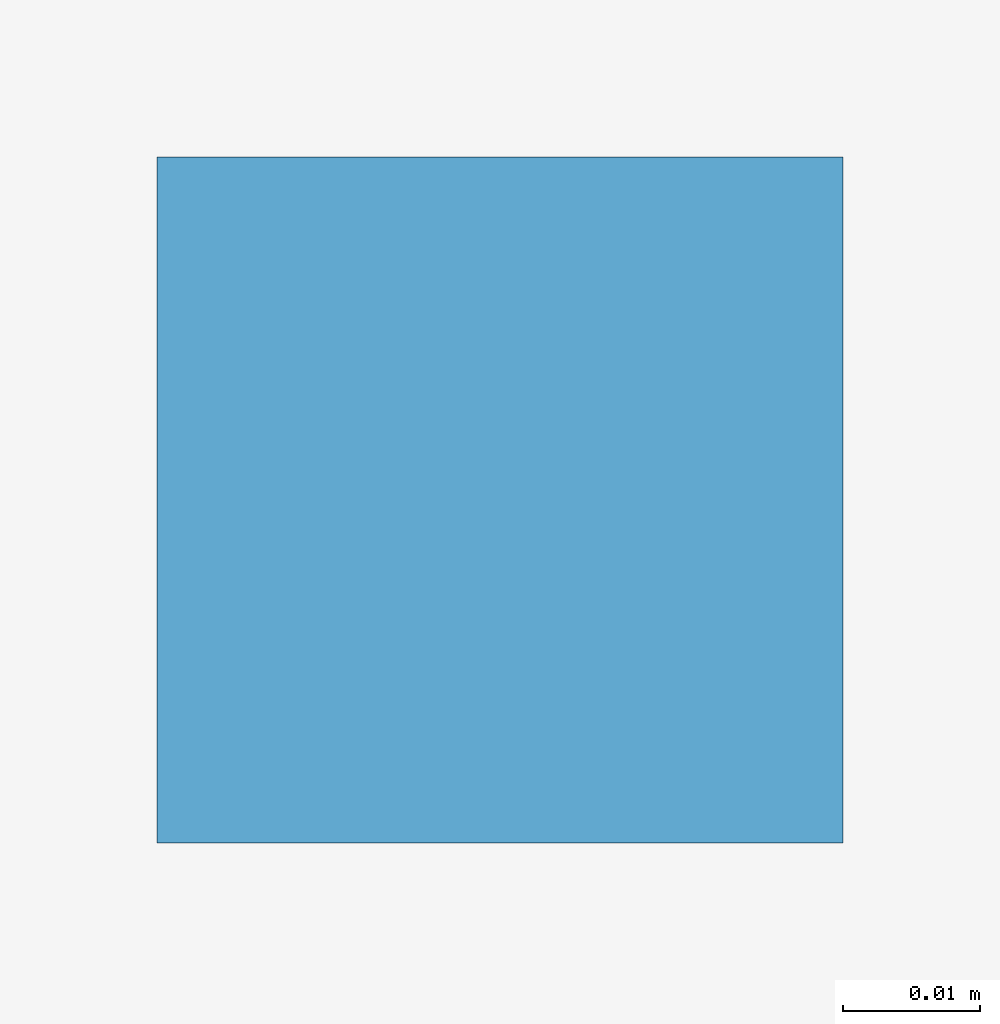
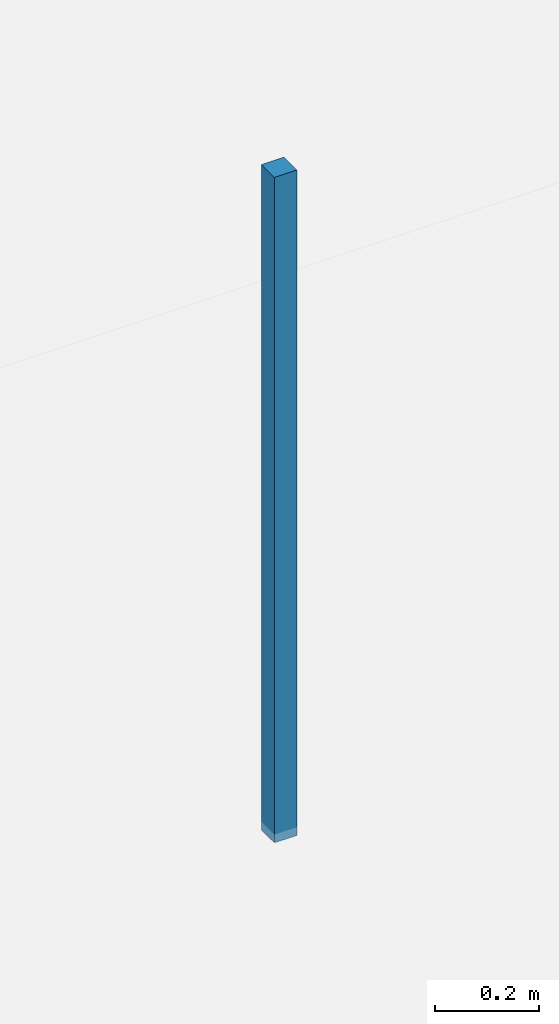
# One storey, part 42 of 55: 1 discrete accessory.
"""IFC4 building model written with IfcOpenShell, lengths in metres."""

import ifcopenshell
import ifcopenshell.guid

model = None  # the IFC model being written
_history = None  # IfcOwnerHistory: only IFC2X3 demands one
_inside = {}  # id of a spatial element -> (the spatial element, [elements in it])
_under = {}  # id of a project, library or spatial element -> (it, [spatial elements below it])
_declared = {}  # id of a project -> (the project, [libraries it declares])
_typed = {}  # id of a type object -> (the type object, [elements of that type])
_made_of = {}  # id of a material, layer set ... -> (it, [elements and type objects made of it])


def new_model(schema):
    """Start an empty IFC model of exactly this schema.

    Asked for "IFC4X3", IfcOpenShell would pick the latest addendum, in which some entities
    have other attributes; the version numbers below select the first issue.
    IFC2X3 requires an IfcOwnerHistory on every rooted entity: one is made here for all.
    """
    global model, _history
    if schema == "IFC4X3":
        model = ifcopenshell.file(schema_version=(4, 3, 0, 0))
    else:
        model = ifcopenshell.file(schema=schema)
    _inside.clear()
    _under.clear()
    _declared.clear()
    _typed.clear()
    _made_of.clear()
    _history = None
    if model.schema == "IFC2X3":
        org = make("IfcOrganization", Name="unknown")
        user = make(
            "IfcPersonAndOrganization",
            ThePerson=make("IfcPerson", FamilyName="unknown"),
            TheOrganization=org,
        )
        app = make(
            "IfcApplication",
            ApplicationDeveloper=org,
            Version="unknown",
            ApplicationFullName="unknown",
            ApplicationIdentifier="unknown",
        )
        _history = make(
            "IfcOwnerHistory",
            OwningUser=user,
            OwningApplication=app,
            ChangeAction="ADDED",
            CreationDate=0,
        )
    return model


def make(cls, **values):
    """One entity of the class cls with the attributes given. An attribute that is None is left unset."""
    return model.create_entity(
        cls, **{name: value for name, value in values.items() if value is not None}
    )


def rooted(cls, **values):
    """An entity with a GlobalId (a new one), such as an element, a storey or a relation."""
    return make(cls, GlobalId=ifcopenshell.guid.new(), OwnerHistory=_history, **values)


def si_unit(unit_type, name, prefix=None):
    """IfcSIUnit, for example si_unit("LENGTHUNIT", "METRE", prefix="MILLI")."""
    return make("IfcSIUnit", UnitType=unit_type, Prefix=prefix, Name=name)


def assignment(units):
    """IfcUnitAssignment: the units of a project."""
    return None if units is None else make("IfcUnitAssignment", Units=units)


def point(xyz):
    """IfcCartesianPoint."""
    return None if xyz is None else make("IfcCartesianPoint", Coordinates=xyz)


def direction(xyz):
    """IfcDirection."""
    return None if xyz is None else make("IfcDirection", DirectionRatios=xyz)


def frame(location, z_axis=None, x_axis=None):
    """IfcAxis2Placement3D, a coordinate frame: its origin and axes. An axis left out is left unset."""
    return make(
        "IfcAxis2Placement3D",
        Location=point(location),
        Axis=direction(z_axis),
        RefDirection=direction(x_axis),
    )


def frame_2d(location, x_axis=None):
    """IfcAxis2Placement2D, a coordinate frame in the plane: its origin and x axis."""
    return make(
        "IfcAxis2Placement2D", Location=point(location), RefDirection=direction(x_axis)
    )


def origin():
    """The frame at (0, 0, 0) with its axes left unset."""
    return frame((0.0, 0.0, 0.0))


def origin_2d():
    """The frame at (0, 0) in the plane with its x axis left unset."""
    return frame_2d((0.0, 0.0))


def place(relative_to, where):
    """IfcLocalPlacement: puts the frame where relative to a parent placement (None: the world)."""
    return make(
        "IfcLocalPlacement", PlacementRelTo=relative_to, RelativePlacement=where
    )


def context(
    kind, dimensions, precision=None, world=None, true_north=None, identifier=None
):
    """IfcGeometricRepresentationContext, for example the 3D "Model" context."""
    return make(
        "IfcGeometricRepresentationContext",
        ContextIdentifier=identifier,
        ContextType=kind,
        CoordinateSpaceDimension=dimensions,
        Precision=precision,
        WorldCoordinateSystem=world,
        TrueNorth=true_north,
    )


def subcontext(parent, identifier, kind, view, scale=None):
    """IfcGeometricRepresentationSubContext, for example "Body" below "Model"."""
    return make(
        "IfcGeometricRepresentationSubContext",
        ContextIdentifier=identifier,
        ContextType=kind,
        ParentContext=parent,
        TargetScale=scale,
        TargetView=view,
    )


def project(units=None, contexts=None):
    """IfcProject with its units and contexts."""
    return rooted(
        "IfcProject",
        Name="project",
        RepresentationContexts=contexts,
        UnitsInContext=assignment(units),
    )


def spatial(cls, under=None, at=None, **own):
    """A site, building, storey or space (cls), placed at a placement, below another one or the project."""
    s = rooted(cls, ObjectPlacement=at, **own)
    if under is not None:
        _under.setdefault(under.id(), (under, []))[1].append(s)
    return s


def profile(cls, at=None, kind="AREA", **sizes):
    """A parametric profile (cls). Its sizes go by their IFC names, for example OverallWidth=200.0."""
    return make(cls, ProfileType=kind, Position=at, **sizes)


def rectangle(**sizes):
    """IfcRectangleProfileDef."""
    return profile("IfcRectangleProfileDef", **sizes)


def extrude(swept, where, along, depth):
    """IfcExtrudedAreaSolid: the profile swept, set in the frame where, extruded along a direction by depth."""
    return make(
        "IfcExtrudedAreaSolid",
        SweptArea=swept,
        Position=where,
        ExtrudedDirection=direction(along),
        Depth=depth,
    )


def shape(context_of_items, identifier, shape_type, items):
    """IfcShapeRepresentation: the items that make up one representation, for example the "Body"."""
    return make(
        "IfcShapeRepresentation",
        ContextOfItems=context_of_items,
        RepresentationIdentifier=identifier,
        RepresentationType=shape_type,
        Items=items,
    )


def material(Name=None, Category=None):
    """IfcMaterial."""
    return make("IfcMaterial", Name=Name, Category=Category)


def made_of(thing, what):
    """Note that an element or type object is made of a material, layer set ...; save() writes the relation."""
    if what is not None:
        _made_of.setdefault(what.id(), (what, []))[1].append(thing)
    return thing


def type_object(cls, material=None, **own):
    """A type object (cls), such as IfcWallType, which elements share."""
    return made_of(rooted(cls, **own), material)


def element(
    cls,
    number,
    at=None,
    inside=None,
    cuts=None,
    type_object=None,
    material=None,
    context=None,
    identifier="Body",
    shape_type=None,
    held_by="IfcProductDefinitionShape",
    body=None,
    shapes=None,
    **own,
):
    """One element of the class cls, such as IfcWall. Its Tag is "e" and its number.

    at: its placement. inside: the storey or other place that contains it. cuts: it is an
    opening in that element (IfcRelVoidsElement). A single representation is given by context,
    identifier, shape_type and body (its items); several are given by shapes. held_by: the class
    of the entity that holds the representations. save() writes the other relations.
    """
    e = rooted(cls, Tag="e%d" % number, ObjectPlacement=at, **own)
    if body is not None:
        shapes = [shape(context, identifier, shape_type, body)]
    if shapes is not None:
        e.Representation = make(held_by, Representations=shapes)
    if inside is not None:
        _inside.setdefault(inside.id(), (inside, []))[1].append(e)
    if cuts is not None:
        rooted(
            "IfcRelVoidsElement", RelatingBuildingElement=cuts, RelatedOpeningElement=e
        )
    if type_object is not None:
        _typed.setdefault(type_object.id(), (type_object, []))[1].append(e)
    return made_of(e, material)


def aggregate(whole, parts):
    """IfcRelAggregates: a whole, such as a stair, and the parts it consists of."""
    return rooted("IfcRelAggregates", RelatingObject=whole, RelatedObjects=parts)


def save(model, path):
    """Write the relations noted so far, then the file.

    IfcRelAggregates (storeys below a building ...), IfcRelContainedInSpatialStructure (elements
    in a storey), IfcRelDefinesByType, IfcRelAssociatesMaterial and IfcRelDeclares: one each for
    every whole, place, type object, material and project.
    """
    for whole, parts in _under.values():
        aggregate(whole, parts)
    for where, things in _inside.values():
        rooted(
            "IfcRelContainedInSpatialStructure",
            RelatedElements=things,
            RelatingStructure=where,
        )
    for kind, things in _typed.values():
        rooted("IfcRelDefinesByType", RelatedObjects=things, RelatingType=kind)
    for what, things in _made_of.values():
        rooted("IfcRelAssociatesMaterial", RelatedObjects=things, RelatingMaterial=what)
    for by, libraries in _declared.values():
        rooted("IfcRelDeclares", RelatingContext=by, RelatedDefinitions=libraries)
    model.write(path)


model = new_model("IFC4")

# Units and contexts
model_context = context("Model", 3, precision=1e-05, world=origin(), true_north=direction((0.0, 1.0)))
body_context = subcontext(model_context, "Body", "Model", "MODEL_VIEW")
ifc_project = project(units=[si_unit("LENGTHUNIT", "METRE"), si_unit("AREAUNIT", "SQUARE_METRE"), si_unit("VOLUMEUNIT", "CUBIC_METRE"), si_unit("PLANEANGLEUNIT", "RADIAN"), si_unit("MASSUNIT", "GRAM", prefix="KILO")], contexts=[model_context])

# Site, building, storey
site_placement = place(None, origin())
site = spatial("IfcSite", under=ifc_project, at=site_placement, CompositionType="ELEMENT")
building_placement = place(site_placement, origin())
building = spatial("IfcBuilding", under=site, at=building_placement, Name="Kazehaya Institute of Natural Sciences", CompositionType="ELEMENT")
storey_placement = place(building_placement, frame((0.0, 0.0, 15.1201171875)))
storey = spatial("IfcBuildingStorey", under=building, at=storey_placement, Name="L03", CompositionType="ELEMENT", Elevation=15.1201171875)

# Discrete accessory
ifc_material = material(Name="Structural steel SN490B", Category="steel")
discrete_accessory_type = type_object("IfcDiscreteAccessoryType", Name="ACC-CLG-HGR", PredefinedType="BRACKET", material=ifc_material)
discrete_accessory_placement = place(storey_placement, frame((72.60791015625, 103.973388671875, 3.032470703125), z_axis=(0.0, 0.0, 1.0), x_axis=(1.0, 0.0, 0.0)))
element("IfcDiscreteAccessory", 1, at=discrete_accessory_placement, inside=storey, type_object=discrete_accessory_type, Name="L03 ceiling suspension hanger 37", PredefinedType="BRACKET", context=body_context, shape_type="SweptSolid", body=[
    extrude(rectangle(XDim=0.050048828125, YDim=0.050048828125, at=origin_2d()), origin(), (0.0, 0.0, 1.0), 1.5673828125),
])

save(model, "model.ifc")
